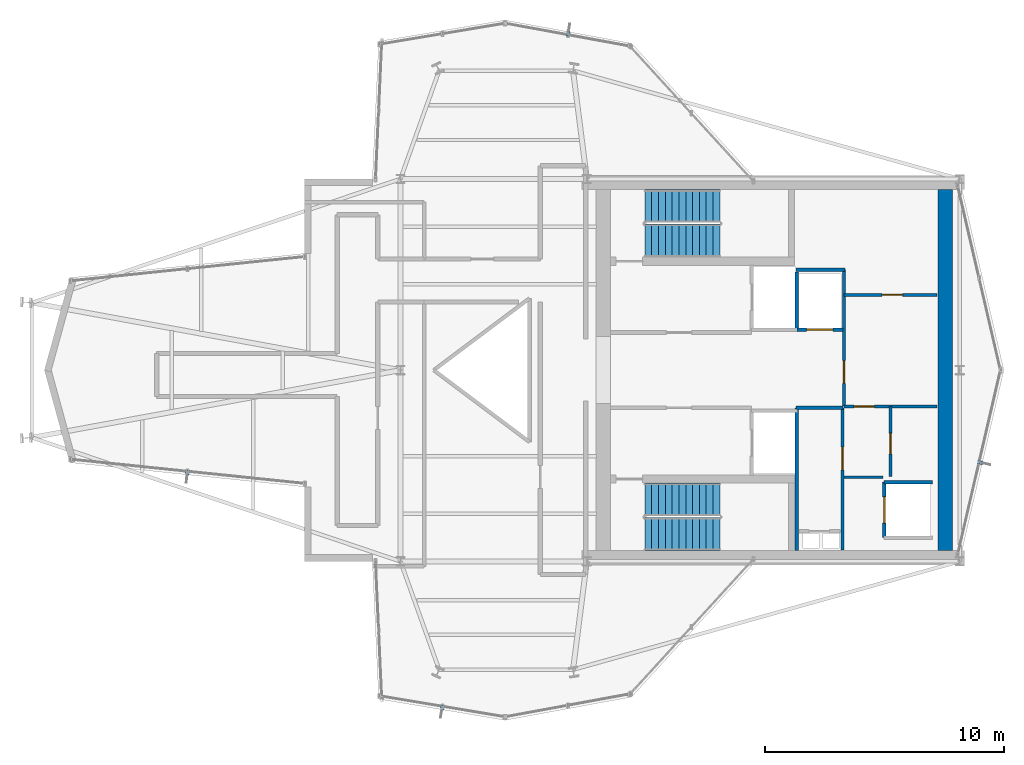
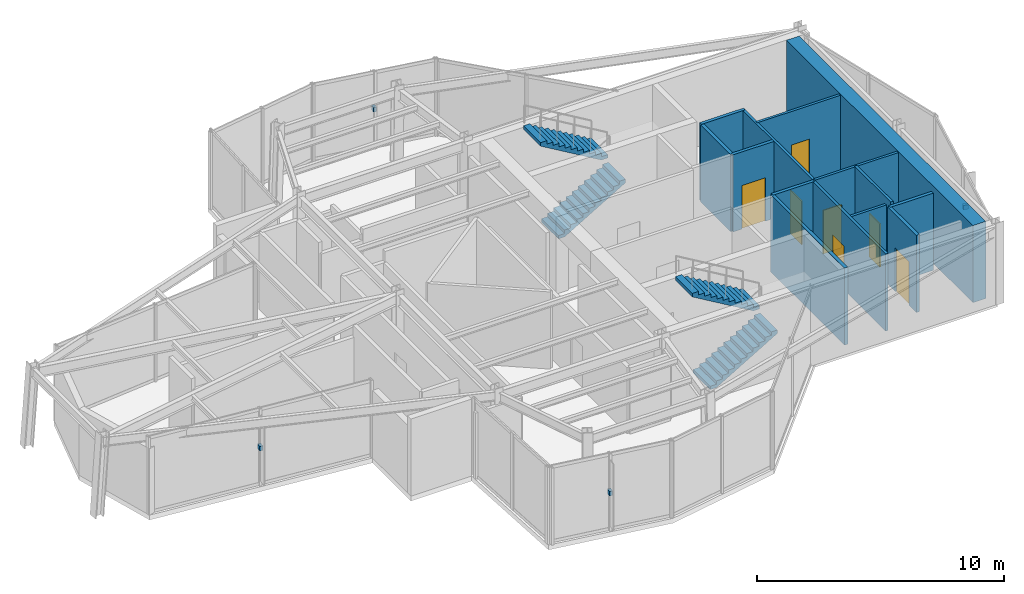
# One storey, part 12 of 13: 14 walls, 7 doors, 4 discrete accessories, 4 stair flights, 7 openings, 2 elements without a shape of their own.
"""IFC4 building model written with IfcOpenShell, lengths in metres."""

from ifc_helpers import new_model, si_unit, direction, frame, frame_2d, origin, origin_2d, place, context, subcontext, project, spatial, polyline, rectangle, outline, extrude, material, layer, layer_set, type_object, element, fill, aggregate, save


model = new_model("IFC4")

# Units and contexts
model_context = context("Model", 3, precision=1e-05, world=origin(), true_north=direction((0.0, 1.0)))
body_context = subcontext(model_context, "Body", "Model", "MODEL_VIEW")
ifc_project = project(units=[si_unit("LENGTHUNIT", "METRE"), si_unit("AREAUNIT", "SQUARE_METRE"), si_unit("VOLUMEUNIT", "CUBIC_METRE"), si_unit("PLANEANGLEUNIT", "RADIAN"), si_unit("MASSUNIT", "GRAM", prefix="KILO")], contexts=[model_context])

# Site, building, storey
site_placement = place(None, origin())
site = spatial("IfcSite", under=ifc_project, at=site_placement, CompositionType="ELEMENT")
building_placement = place(site_placement, origin())
building = spatial("IfcBuilding", under=site, at=building_placement, Name="Veymaron Broadcast Tower", CompositionType="ELEMENT")
storey_placement = place(building_placement, frame((0.0, 0.0, 287.10009765625)))
storey = spatial("IfcBuildingStorey", under=building, at=storey_placement, Name="L67", CompositionType="ELEMENT", Elevation=287.10009765625)

# Wall, opening, door
ifc_material_1 = material(Name="Gypsum fireboard and steel stud framing", Category="steel")
ifc_layer_1 = layer(ifc_material_1, 0.14990234375)
ifc_layer_set_1 = layer_set([ifc_layer_1], Name="Gypsum fireboard and steel stud framing")
wall_type_1 = type_object("IfcWallType", Name="WALL-FIRE-150", PredefinedType="PARTITIONING", material=ifc_layer_set_1)
wall_1_placement = place(storey_placement, frame((47.7900390625, 25.695068359375, 0.0), z_axis=(0.0, 0.0, 1.0), x_axis=(1.0, 0.0, 0.0)))
wall_1 = element("IfcWall", 1, at=wall_1_placement, inside=storey, type_object=wall_type_1, Name="L67 partition IW-L67-SHS-SL-1", PredefinedType="PARTITIONING", context=body_context, shape_type="SweptSolid", body=[
    extrude(rectangle(XDim=1.919921875, YDim=0.14990234375, at=frame_2d((0.9599609375, 0.0))), origin(), (0.0, 0.0, 1.0), 3.809814453125),
])
opening_1_placement = place(wall_1_placement, frame((0.409912109375, 0.0, 0.0)))
opening_1 = element("IfcOpeningElement", 2, at=opening_1_placement, cuts=wall_1, Name="Opening LD", PredefinedType="OPENING", context=body_context, shape_type="SweptSolid", body=[
    extrude(rectangle(XDim=1.10009765625, YDim=2.14990234375, at=frame_2d((0.550048828125, 1.074951171875))), frame((0.0, 0.0849609375, 0.0), z_axis=(0.0, -1.0, 0.0), x_axis=(1.0, 0.0, 0.0)), (0.0, 0.0, 1.0), 0.169921875),
])
ifc_material_2 = material(Name="Brushed stainless steel AISI 304", Category="steel")
door_type_1 = type_object("IfcDoorType", Name="DOOR-LIFT-1100", OperationType="DOUBLE_DOOR_SLIDING", PredefinedType="DOOR", material=ifc_material_2)
door_1_placement = place(opening_1_placement, frame((1.10009765625, 0.0, 0.0), z_axis=(0.0, 0.0, 1.0), x_axis=(-1.0, 0.0, 0.0)))
door_1 = element("IfcDoor", 3, at=door_1_placement, inside=storey, type_object=door_type_1, Name="L67 door LD-L67-SL-1", OperationType="DOUBLE_DOOR_SLIDING", OverallHeight=2.14990234375, OverallWidth=1.10009765625, PredefinedType="DOOR", context=body_context, shape_type="SweptSolid", body=[
    extrude(rectangle(XDim=1.10009765625, YDim=2.14990234375, at=frame_2d((0.550048828125, 1.074951171875))), frame((0.0, 0.02490234375, 0.0), z_axis=(0.0, -1.0, 0.0), x_axis=(1.0, 0.0, 0.0)), (0.0, 0.0, 1.0), 0.050048828125),
])
fill(opening_1, door_1)

# Wall
wall_2_placement = place(storey_placement, frame((47.7900390625, 25.695068359375, 0.0), z_axis=(0.0, 0.0, 1.0), x_axis=(0.0, 1.0, 0.0)))
element("IfcWall", 4, at=wall_2_placement, inside=storey, type_object=wall_type_1, Name="L67 partition IW-L67-SHW-SL-1", PredefinedType="PARTITIONING", context=body_context, shape_type="SweptSolid", body=[
    extrude(rectangle(XDim=2.4150390625, YDim=0.14990234375, at=frame_2d((1.20751953125, 0.0))), origin(), (0.0, 0.0, 1.0), 3.809814453125),
])

# Wall, opening, door
wall_3_placement = place(storey_placement, frame((51.445068359375, 16.989990234375, 0.0), z_axis=(0.0, 0.0, 1.0), x_axis=(0.0, 1.0, 0.0)))
wall_3 = element("IfcWall", 5, at=wall_3_placement, inside=storey, type_object=wall_type_1, Name="L67 partition IW-L67-SHW-PH1", PredefinedType="PARTITIONING", context=body_context, shape_type="SweptSolid", body=[
    extrude(rectangle(XDim=2.320068359375, YDim=0.14990234375, at=frame_2d((1.16015625, 0.0))), origin(), (0.0, 0.0, 1.0), 3.809814453125),
])
opening_2_placement = place(wall_3_placement, frame((0.610107421875, 0.0, 0.0)))
opening_2 = element("IfcOpeningElement", 6, at=opening_2_placement, cuts=wall_3, Name="Opening LD", PredefinedType="OPENING", context=body_context, shape_type="SweptSolid", body=[
    extrude(rectangle(XDim=1.10009765625, YDim=2.14990234375, at=frame_2d((0.550048828125, 1.074951171875))), frame((0.0, 0.0849609375, 0.0), z_axis=(0.0, -1.0, 0.0), x_axis=(1.0, 0.0, 0.0)), (0.0, 0.0, 1.0), 0.169921875),
])
door_2_placement = place(opening_2_placement, frame((1.10009765625, 0.0, 0.0), z_axis=(0.0, 0.0, 1.0), x_axis=(-1.0, 0.0, 0.0)))
door_2 = element("IfcDoor", 7, at=door_2_placement, inside=storey, type_object=door_type_1, Name="L67 door LD-L67-PH1", OperationType="DOUBLE_DOOR_SLIDING", OverallHeight=2.14990234375, OverallWidth=1.10009765625, PredefinedType="DOOR", context=body_context, shape_type="SweptSolid", body=[
    extrude(rectangle(XDim=1.10009765625, YDim=2.14990234375, at=frame_2d((0.550048828125, 1.074951171875))), frame((0.0, 0.02490234375, 0.0), z_axis=(0.0, -1.0, 0.0), x_axis=(1.0, 0.0, 0.0)), (0.0, 0.0, 1.0), 0.050048828125),
])
fill(opening_2, door_2)

# Walls
wall_4_placement = place(storey_placement, frame((51.445068359375, 19.31005859375, 0.0), z_axis=(0.0, 0.0, 1.0), x_axis=(1.0, 0.0, 0.0)))
element("IfcWall", 8, at=wall_4_placement, inside=storey, type_object=wall_type_1, Name="L67 partition IW-L67-SHN-PH1", PredefinedType="PARTITIONING", context=body_context, shape_type="SweptSolid", body=[
    extrude(rectangle(XDim=2.014892578125, YDim=0.14990234375, at=frame_2d((1.00732421875, 0.0))), origin(), (0.0, 0.0, 1.0), 3.809814453125),
])
wall_5_placement = place(storey_placement, frame((47.760009765625, 22.425048828125, 0.0), z_axis=(0.0, 0.0, 1.0), x_axis=(1.0, 0.0, 0.0)))
element("IfcWall", 9, at=wall_5_placement, inside=storey, type_object=wall_type_1, Name="L67 partition IW-L67-SM-N", PredefinedType="PARTITIONING", context=body_context, shape_type="SweptSolid", body=[
    extrude(rectangle(XDim=1.9599609375, YDim=0.14990234375, at=frame_2d((0.97998046875, 0.0))), origin(), (0.0, 0.0, 1.0), 3.809814453125),
])
wall_6_placement = place(storey_placement, frame((47.780029296875, 16.449951171875, 0.0), z_axis=(0.0, 0.0, 1.0), x_axis=(0.0, 1.0, 0.0)))
element("IfcWall", 10, at=wall_6_placement, inside=storey, type_object=wall_type_1, Name="L67 partition IW-L67-SM-W", PredefinedType="PARTITIONING", context=body_context, shape_type="SweptSolid", body=[
    extrude(rectangle(XDim=5.97509765625, YDim=0.14990234375, at=frame_2d((2.987548828125, 0.0))), origin(), (0.0, 0.0, 1.0), 3.809814453125),
])
wall_7_placement = place(storey_placement, frame((47.760009765625, 28.199951171875, 0.0), z_axis=(0.0, 0.0, 1.0), x_axis=(1.0, 0.0, 0.0)))
element("IfcWall", 11, at=wall_7_placement, inside=storey, type_object=wall_type_1, Name="L67 partition IW-L67-F3-SW", PredefinedType="PARTITIONING", context=body_context, shape_type="SweptSolid", body=[
    extrude(rectangle(XDim=2.0400390625, YDim=0.14990234375, at=frame_2d((1.02001953125, 0.0))), origin(), (0.0, 0.0, 1.0), 3.809814453125),
])

# Wall, opening, door
ifc_material_3 = material(Name="Acoustic gypsum board and galvanized stud", Category="gypsum")
ifc_layer_2 = layer(ifc_material_3, 0.1201171875)
ifc_layer_set_2 = layer_set([ifc_layer_2], Name="Acoustic gypsum board and galvanized stud")
wall_type_2 = type_object("IfcWallType", Name="WALL-PART-120", PredefinedType="PARTITIONING", material=ifc_layer_set_2)
wall_8_placement = place(storey_placement, frame((49.699951171875, 16.47998046875, 0.0), z_axis=(0.0, 0.0, 1.0), x_axis=(0.0, 1.0, 0.0)))
wall_8 = element("IfcWall", 12, at=wall_8_placement, inside=storey, type_object=wall_type_2, Name="L67 partition IW-L67-SM-E", PredefinedType="PARTITIONING", context=body_context, shape_type="SweptSolid", body=[
    extrude(rectangle(XDim=5.945068359375, YDim=0.1201171875, at=frame_2d((2.97265625, 0.0))), origin(), (0.0, 0.0, 1.0), 3.809814453125),
])
opening_3_placement = place(wall_8_placement, frame((3.35009765625, 0.0, 0.0)))
opening_3 = element("IfcOpeningElement", 13, at=opening_3_placement, cuts=wall_8, Name="Opening ID-RM1", PredefinedType="OPENING", context=body_context, shape_type="SweptSolid", body=[
    extrude(rectangle(XDim=0.949951171875, YDim=2.14990234375, at=frame_2d((0.47509765625, 1.074951171875))), frame((0.0, 0.070068359375, 0.0), z_axis=(0.0, -1.0, 0.0), x_axis=(1.0, 0.0, 0.0)), (0.0, 0.0, 1.0), 0.14013671875),
])
ifc_material_4 = material(Name="Acoustic solid-core European oak veneer timber", Category="wood")
door_type_2 = type_object("IfcDoorType", Name="DOOR-INT-950", OperationType="NOTDEFINED", PredefinedType="DOOR", material=ifc_material_4)
door_3_placement = place(opening_3_placement, frame((0.949951171875, 0.0, 0.0), z_axis=(0.0, 0.0, 1.0), x_axis=(-1.0, 0.0, 0.0)))
door_3 = element("IfcDoor", 14, at=door_3_placement, inside=storey, type_object=door_type_2, Name="L67 door DR-L67-AWC", OperationType="SINGLE_SWING_LEFT", OverallHeight=2.14990234375, OverallWidth=0.949951171875, PredefinedType="DOOR", context=body_context, shape_type="SweptSolid", body=[
    extrude(rectangle(XDim=0.949951171875, YDim=2.14990234375, at=frame_2d((0.47509765625, 1.074951171875))), frame((0.0, 0.02490234375, 0.0), z_axis=(0.0, -1.0, 0.0), x_axis=(1.0, 0.0, 0.0)), (0.0, 0.0, 1.0), 0.050048828125),
])
fill(opening_3, door_3)

wall_9_placement = place(storey_placement, frame((49.760009765625, 22.47998046875, 0.0), z_axis=(0.0, 0.0, 1.0), x_axis=(1.0, 0.0, 0.0)))
wall_9 = element("IfcWall", 15, at=wall_9_placement, inside=storey, type_object=wall_type_2, Name="L67 partition IW-L67-F3S-N", PredefinedType="PARTITIONING", context=body_context, shape_type="SweptSolid", body=[
    extrude(rectangle(XDim=3.89990234375, YDim=0.1201171875, at=frame_2d((1.949951171875, 0.0))), origin(), (0.0, 0.0, 1.0), 3.809814453125),
])
opening_4_placement = place(wall_9_placement, frame((0.419921875, 0.0, 0.0)))
opening_4 = element("IfcOpeningElement", 16, at=opening_4_placement, cuts=wall_9, Name="Opening ID-WC1", PredefinedType="OPENING", context=body_context, shape_type="SweptSolid", body=[
    extrude(rectangle(XDim=0.85009765625, YDim=2.14990234375, at=frame_2d((0.425048828125, 1.074951171875))), frame((0.0, 0.070068359375, 0.0), z_axis=(0.0, -1.0, 0.0), x_axis=(1.0, 0.0, 0.0)), (0.0, 0.0, 1.0), 0.14013671875),
])
ifc_material_5 = material(Name="Moisture-resistant high-pressure laminate timber", Category="wood")
door_type_3 = type_object("IfcDoorType", Name="DOOR-INT-850", OperationType="NOTDEFINED", PredefinedType="DOOR", material=ifc_material_5)
door_4_placement = place(opening_4_placement, frame((0.85009765625, 0.0, 0.0), z_axis=(0.0, 0.0, 1.0), x_axis=(-1.0, 0.0, 0.0)))
door_4 = element("IfcDoor", 17, at=door_4_placement, inside=storey, type_object=door_type_3, Name="L67 door DR-L67-F3S", OperationType="SINGLE_SWING_LEFT", OverallHeight=2.14990234375, OverallWidth=0.85009765625, PredefinedType="DOOR", context=body_context, shape_type="SweptSolid", body=[
    extrude(rectangle(XDim=0.85009765625, YDim=2.14990234375, at=frame_2d((0.425048828125, 1.074951171875))), frame((0.0, 0.02490234375, 0.0), z_axis=(0.0, -1.0, 0.0), x_axis=(1.0, 0.0, 0.0)), (0.0, 0.0, 1.0), 0.050048828125),
])
fill(opening_4, door_4)

wall_10_placement = place(storey_placement, frame((51.7099609375, 19.550048828125, 0.0), z_axis=(0.0, 0.0, 1.0), x_axis=(0.0, 1.0, 0.0)))
wall_10 = element("IfcWall", 18, at=wall_10_placement, inside=storey, type_object=wall_type_2, Name="L67 partition IW-L67-F3S-M", PredefinedType="PARTITIONING", context=body_context, shape_type="SweptSolid", body=[
    extrude(rectangle(XDim=2.929931640625, YDim=0.1201171875, at=frame_2d((1.46484375, 0.0))), origin(), (0.0, 0.0, 1.0), 3.809814453125),
])
opening_5_placement = place(wall_10_placement, frame((0.949951171875, 0.0, 0.0)))
opening_5 = element("IfcOpeningElement", 19, at=opening_5_placement, cuts=wall_10, Name="Opening ID-WC1", PredefinedType="OPENING", context=body_context, shape_type="SweptSolid", body=[
    extrude(rectangle(XDim=0.85009765625, YDim=2.14990234375, at=frame_2d((0.425048828125, 1.074951171875))), frame((0.0, 0.070068359375, 0.0), z_axis=(0.0, -1.0, 0.0), x_axis=(1.0, 0.0, 0.0)), (0.0, 0.0, 1.0), 0.14013671875),
])
door_5_placement = place(opening_5_placement, origin())
door_5 = element("IfcDoor", 20, at=door_5_placement, inside=storey, type_object=door_type_3, Name="L67 door DR-L67-F3SB", OperationType="SINGLE_SWING_RIGHT", OverallHeight=2.14990234375, OverallWidth=0.85009765625, PredefinedType="DOOR", context=body_context, shape_type="SweptSolid", body=[
    extrude(rectangle(XDim=0.85009765625, YDim=2.14990234375, at=frame_2d((0.425048828125, 1.074951171875))), frame((0.0, 0.02490234375, 0.0), z_axis=(0.0, -1.0, 0.0), x_axis=(1.0, 0.0, 0.0)), (0.0, 0.0, 1.0), 0.050048828125),
])
fill(opening_5, door_5)

# Wall
wall_11_placement = place(storey_placement, frame((49.760009765625, 19.52001953125, 0.0), z_axis=(0.0, 0.0, 1.0), x_axis=(1.0, 0.0, 0.0)))
element("IfcWall", 21, at=wall_11_placement, inside=storey, type_object=wall_type_2, Name="L67 partition IW-L67-F3S-S", PredefinedType="PARTITIONING", context=body_context, shape_type="SweptSolid", body=[
    extrude(rectangle(XDim=1.639892578125, YDim=0.1201171875, at=frame_2d((0.81982421875, 0.0))), origin(), (0.0, 0.0, 1.0), 3.809814453125),
])

# Wall, opening, door
wall_12_placement = place(storey_placement, frame((49.760009765625, 22.5, 0.0), z_axis=(0.0, 0.0, 1.0), x_axis=(0.0, 1.0, 0.0)))
wall_12 = element("IfcWall", 22, at=wall_12_placement, inside=storey, type_object=wall_type_2, Name="L67 partition IW-L67-F3-W", PredefinedType="PARTITIONING", context=body_context, shape_type="SweptSolid", body=[
    extrude(rectangle(XDim=5.719970703125, YDim=0.1201171875, at=frame_2d((2.85986328125, 0.0))), origin(), (0.0, 0.0, 1.0), 3.809814453125),
])
opening_6_placement = place(wall_12_placement, frame((0.949951171875, 0.0, 0.0)))
opening_6 = element("IfcOpeningElement", 23, at=opening_6_placement, cuts=wall_12, Name="Opening ID-RM1", PredefinedType="OPENING", context=body_context, shape_type="SweptSolid", body=[
    extrude(rectangle(XDim=0.949951171875, YDim=2.14990234375, at=frame_2d((0.47509765625, 1.074951171875))), frame((0.0, 0.070068359375, 0.0), z_axis=(0.0, -1.0, 0.0), x_axis=(1.0, 0.0, 0.0)), (0.0, 0.0, 1.0), 0.14013671875),
])
door_6_placement = place(opening_6_placement, origin())
door_6 = element("IfcDoor", 24, at=door_6_placement, inside=storey, type_object=door_type_2, Name="L67 door DR-L67-F3A", OperationType="SINGLE_SWING_LEFT", OverallHeight=2.14990234375, OverallWidth=0.949951171875, PredefinedType="DOOR", context=body_context, shape_type="SweptSolid", body=[
    extrude(rectangle(XDim=0.949951171875, YDim=2.14990234375, at=frame_2d((0.47509765625, 1.074951171875))), frame((0.0, 0.02490234375, 0.0), z_axis=(0.0, -1.0, 0.0), x_axis=(1.0, 0.0, 0.0)), (0.0, 0.0, 1.0), 0.050048828125),
])
fill(opening_6, door_6)

wall_13_placement = place(storey_placement, frame((49.760009765625, 27.14990234375, 0.0), z_axis=(0.0, 0.0, 1.0), x_axis=(1.0, 0.0, 0.0)))
wall_13 = element("IfcWall", 25, at=wall_13_placement, inside=storey, type_object=wall_type_2, Name="L67 partition IW-L67-F3-M1", PredefinedType="PARTITIONING", context=body_context, shape_type="SweptSolid", body=[
    extrude(rectangle(XDim=3.89990234375, YDim=0.1201171875, at=frame_2d((1.949951171875, 0.0))), origin(), (0.0, 0.0, 1.0), 3.809814453125),
])
opening_7_placement = place(wall_13_placement, frame((1.60009765625, 0.0, 0.0)))
opening_7 = element("IfcOpeningElement", 26, at=opening_7_placement, cuts=wall_13, Name="Opening ID-WC1", PredefinedType="OPENING", context=body_context, shape_type="SweptSolid", body=[
    extrude(rectangle(XDim=0.85009765625, YDim=2.14990234375, at=frame_2d((0.425048828125, 1.074951171875))), frame((0.0, 0.070068359375, 0.0), z_axis=(0.0, -1.0, 0.0), x_axis=(1.0, 0.0, 0.0)), (0.0, 0.0, 1.0), 0.14013671875),
])
door_7_placement = place(opening_7_placement, origin())
door_7 = element("IfcDoor", 27, at=door_7_placement, inside=storey, type_object=door_type_3, Name="L67 door DR-L67-F3B", OperationType="SINGLE_SWING_LEFT", OverallHeight=2.14990234375, OverallWidth=0.85009765625, PredefinedType="DOOR", context=body_context, shape_type="SweptSolid", body=[
    extrude(rectangle(XDim=0.85009765625, YDim=2.14990234375, at=frame_2d((0.425048828125, 1.074951171875))), frame((0.0, 0.02490234375, 0.0), z_axis=(0.0, -1.0, 0.0), x_axis=(1.0, 0.0, 0.0)), (0.0, 0.0, 1.0), 0.050048828125),
])
fill(opening_7, door_7)

# Wall
ifc_material_6 = material(Name="Concrete C50/60", Category="concrete")
ifc_layer_3 = layer(ifc_material_6, 0.60009765625)
ifc_layer_set_3 = layer_set([ifc_layer_3], Name="Concrete C50/60")
wall_type_3 = type_object("IfcWallType", Name="WALL-SHEAR-600", PredefinedType="SHEAR", material=ifc_layer_set_3)
wall_14_placement = place(storey_placement, frame((54.0, 16.449951171875, 0.0), z_axis=(0.0, 0.0, 1.0), x_axis=(0.0, 1.0, 0.0)))
element("IfcWall", 28, at=wall_14_placement, inside=storey, type_object=wall_type_3, Name="L67 Core Wall east shear", PredefinedType="SHEAR", context=body_context, shape_type="SweptSolid", body=[
    extrude(rectangle(XDim=15.10009765625, YDim=0.60009765625, at=frame_2d((7.550048828125, 0.0))), origin(), (0.0, 0.0, 1.0), 3.809814453125),
])

# Stair, stair flights
stair_type_1 = type_object("IfcStairType", Name="STAIR-CORE-1", PredefinedType="HALF_TURN_STAIR", material=ifc_material_6)
stair_1_placement = place(storey_placement, origin())
stair_1 = element("IfcStair", 29, at=stair_1_placement, inside=storey, type_object=stair_type_1, Name="L67 North protected dog-leg exit stair ST1", PredefinedType="HALF_TURN_STAIR")
ifc_material_7 = material(Name="Precast concrete C50/60", Category="concrete")
stair_flight_type = type_object("IfcStairFlightType", Name="FLT-CORE-RC", PredefinedType="STRAIGHT", material=ifc_material_7)
stair_flight_1_placement = place(storey_placement, frame((41.429931640625, 29.419921875, 0.0), z_axis=(0.0, 0.0, 1.0), x_axis=(1.0, 0.0, 0.0)))
stair_flight_1 = element("IfcStairFlight", 30, at=stair_flight_1_placement, type_object=stair_flight_type, Name="ST1 flight 1", NumberOfRisers=12, NumberOfTreads=11, PredefinedType="STRAIGHT", RiserHeight=0.16875, TreadLength=0.285, context=body_context, shape_type="SweptSolid", body=[
    extrude(outline(polyline([(0.0, 0.0), (0.0, 0.168701171875), (0.284912109375, 0.168701171875), (0.284912109375, 0.33740234375), (0.570068359375, 0.33740234375), (0.570068359375, 0.50634765625), (0.85498046875, 0.50634765625), (0.85498046875, 0.675048828125), (1.139892578125, 0.675048828125), (1.139892578125, 0.84375), (1.425048828125, 0.84375), (1.425048828125, 1.012451171875), (1.7099609375, 1.012451171875), (1.7099609375, 1.18115234375), (1.9951171875, 1.18115234375), (1.9951171875, 1.35009765625), (2.280029296875, 1.35009765625), (2.280029296875, 1.518798828125), (2.56494140625, 1.518798828125), (2.56494140625, 1.6875), (2.85009765625, 1.6875), (2.85009765625, 1.856201171875), (3.135009765625, 1.856201171875), (3.135009765625, 2.02490234375), (3.135009765625, 1.68212890625), (0.294189453125, 0.0), (0.0, 0.0)])), frame((0.0, 0.68994140625, 0.0), z_axis=(0.0, -1.0, 0.0), x_axis=(1.0, 0.0, 0.0)), (0.0, 0.0, 1.0), 1.3798828125),
])
stair_flight_2_placement = place(storey_placement, frame((44.56494140625, 30.860107421875, 2.02490234375), z_axis=(0.0, 0.0, 1.0), x_axis=(-1.0, 0.0, 0.0)))
stair_flight_2 = element("IfcStairFlight", 31, at=stair_flight_2_placement, type_object=stair_flight_type, Name="ST1 flight 2", NumberOfRisers=12, NumberOfTreads=11, PredefinedType="STRAIGHT", RiserHeight=0.16875, TreadLength=0.285, context=body_context, shape_type="SweptSolid", body=[
    extrude(outline(polyline([(0.0, 0.0), (0.0, 0.168701171875), (0.284912109375, 0.168701171875), (0.284912109375, 0.33740234375), (0.570068359375, 0.33740234375), (0.570068359375, 0.50634765625), (0.85498046875, 0.50634765625), (0.85498046875, 0.675048828125), (1.139892578125, 0.675048828125), (1.139892578125, 0.84375), (1.425048828125, 0.84375), (1.425048828125, 1.012451171875), (1.7099609375, 1.012451171875), (1.7099609375, 1.18115234375), (1.9951171875, 1.18115234375), (1.9951171875, 1.35009765625), (2.280029296875, 1.35009765625), (2.280029296875, 1.518798828125), (2.56494140625, 1.518798828125), (2.56494140625, 1.6875), (2.85009765625, 1.6875), (2.85009765625, 1.856201171875), (3.135009765625, 1.856201171875), (3.135009765625, 2.02490234375), (3.135009765625, 1.68212890625), (0.294189453125, 0.0), (0.0, 0.0)])), frame((0.0, 0.68994140625, 0.0), z_axis=(0.0, -1.0, 0.0), x_axis=(1.0, 0.0, 0.0)), (0.0, 0.0, 1.0), 1.3798828125),
])
aggregate(stair_1, [stair_flight_1, stair_flight_2])

stair_type_2 = type_object("IfcStairType", Name="STAIR-CORE-2", PredefinedType="HALF_TURN_STAIR", material=ifc_material_6)
stair_2_placement = place(storey_placement, origin())
stair_2 = element("IfcStair", 32, at=stair_2_placement, inside=storey, type_object=stair_type_2, Name="L67 South protected dog-leg exit stair ST2", PredefinedType="HALF_TURN_STAIR")
stair_flight_3_placement = place(storey_placement, frame((41.429931640625, 17.139892578125, 0.0), z_axis=(0.0, 0.0, 1.0), x_axis=(1.0, 0.0, 0.0)))
stair_flight_3 = element("IfcStairFlight", 33, at=stair_flight_3_placement, type_object=stair_flight_type, Name="ST2 flight 1", NumberOfRisers=12, NumberOfTreads=11, PredefinedType="STRAIGHT", RiserHeight=0.16875, TreadLength=0.285, context=body_context, shape_type="SweptSolid", body=[
    extrude(outline(polyline([(0.0, 0.0), (0.0, 0.168701171875), (0.284912109375, 0.168701171875), (0.284912109375, 0.33740234375), (0.570068359375, 0.33740234375), (0.570068359375, 0.50634765625), (0.85498046875, 0.50634765625), (0.85498046875, 0.675048828125), (1.139892578125, 0.675048828125), (1.139892578125, 0.84375), (1.425048828125, 0.84375), (1.425048828125, 1.012451171875), (1.7099609375, 1.012451171875), (1.7099609375, 1.18115234375), (1.9951171875, 1.18115234375), (1.9951171875, 1.35009765625), (2.280029296875, 1.35009765625), (2.280029296875, 1.518798828125), (2.56494140625, 1.518798828125), (2.56494140625, 1.6875), (2.85009765625, 1.6875), (2.85009765625, 1.856201171875), (3.135009765625, 1.856201171875), (3.135009765625, 2.02490234375), (3.135009765625, 1.68212890625), (0.294189453125, 0.0), (0.0, 0.0)])), frame((0.0, 0.68994140625, 0.0), z_axis=(0.0, -1.0, 0.0), x_axis=(1.0, 0.0, 0.0)), (0.0, 0.0, 1.0), 1.3798828125),
])
stair_flight_4_placement = place(storey_placement, frame((44.56494140625, 18.580078125, 2.02490234375), z_axis=(0.0, 0.0, 1.0), x_axis=(-1.0, 0.0, 0.0)))
stair_flight_4 = element("IfcStairFlight", 34, at=stair_flight_4_placement, type_object=stair_flight_type, Name="ST2 flight 2", NumberOfRisers=12, NumberOfTreads=11, PredefinedType="STRAIGHT", RiserHeight=0.16875, TreadLength=0.285, context=body_context, shape_type="SweptSolid", body=[
    extrude(outline(polyline([(0.0, 0.0), (0.0, 0.168701171875), (0.284912109375, 0.168701171875), (0.284912109375, 0.33740234375), (0.570068359375, 0.33740234375), (0.570068359375, 0.50634765625), (0.85498046875, 0.50634765625), (0.85498046875, 0.675048828125), (1.139892578125, 0.675048828125), (1.139892578125, 0.84375), (1.425048828125, 0.84375), (1.425048828125, 1.012451171875), (1.7099609375, 1.012451171875), (1.7099609375, 1.18115234375), (1.9951171875, 1.18115234375), (1.9951171875, 1.35009765625), (2.280029296875, 1.35009765625), (2.280029296875, 1.518798828125), (2.56494140625, 1.518798828125), (2.56494140625, 1.6875), (2.85009765625, 1.6875), (2.85009765625, 1.856201171875), (3.135009765625, 1.856201171875), (3.135009765625, 2.02490234375), (3.135009765625, 1.68212890625), (0.294189453125, 0.0), (0.0, 0.0)])), frame((0.0, 0.68994140625, 0.0), z_axis=(0.0, -1.0, 0.0), x_axis=(1.0, 0.0, 0.0)), (0.0, 0.0, 1.0), 1.3798828125),
])
aggregate(stair_2, [stair_flight_3, stair_flight_4])

# Discrete accessories
ifc_material_8 = material(Name="Austenitic stainless steel AISI 316L", Category="steel")
ifc_layer_4 = layer(ifc_material_8, 0.1201171875)
ifc_layer_set_4 = layer_set([ifc_layer_4], Name="Austenitic stainless steel AISI 316L")
discrete_accessory_type = type_object("IfcDiscreteAccessoryType", Name="ACC-BRKT-SS1", PredefinedType="BRACKET", material=ifc_layer_set_4)
for number, where, z_axis, x_axis, name in (
    (35, (55.477294921875, 20.134521484375, 1.794921875), (0.0, 0.0, 1.0), (0.974118184231, -0.226039295589, 0.0), "CW-L67-E2-1 fin bracket 1"),
    (36, (38.21484375, 38.08837890625, 1.794921875), (0.0, 0.0, 1.0), (0.180570644685, 0.983562017505, 0.0), "CW-L67-E6-1 fin bracket 1"),
    (37, (22.281005859375, 19.701416015625, 1.794921875), (0.0, 0.0, 1.0), (-0.102809897611, -0.994701022897, 0.0), "CW-L67-E14-1 fin bracket 1"),
    (38, (32.946044921875, 9.86767578125, 1.794921875), (0.0, 0.0, 1.0), (-0.164634457046, -0.986354649988, 0.0), "CW-L67-E18-1 fin bracket 1"),
):
    element("IfcDiscreteAccessory", number, at=place(storey_placement, frame(where, z_axis=z_axis, x_axis=x_axis)), inside=storey, type_object=discrete_accessory_type, Name=name, PredefinedType="BRACKET", context=body_context, shape_type="SweptSolid", body=[
        extrude(rectangle(XDim=0.219970703125, YDim=0.139892578125, at=origin_2d()), origin(), (0.0, 0.0, 1.0), 0.219970703125),
    ])

save(model, "model.ifc")
